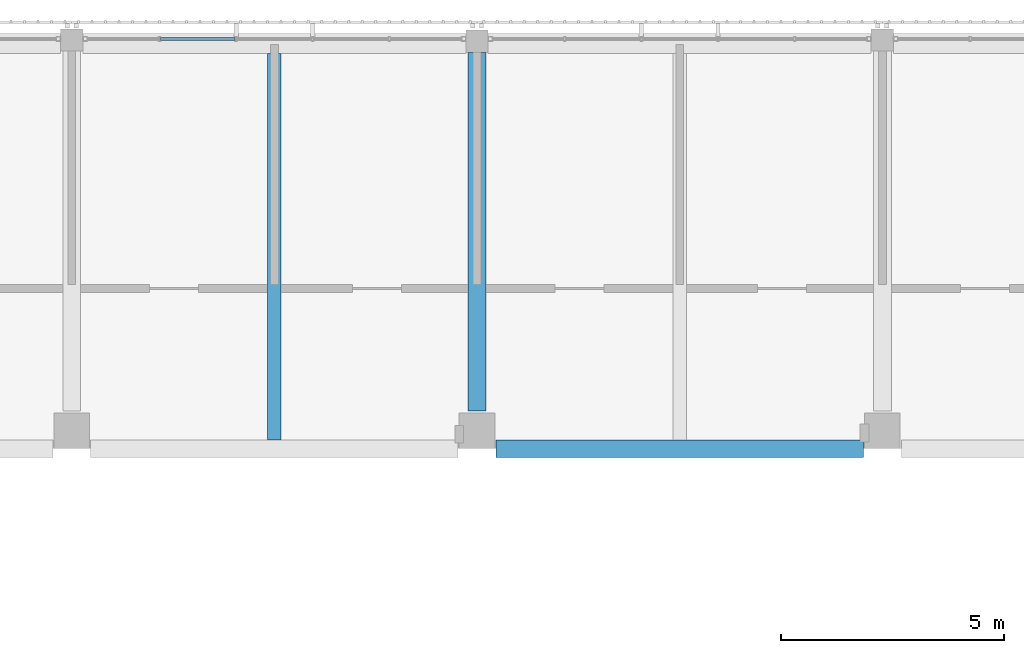
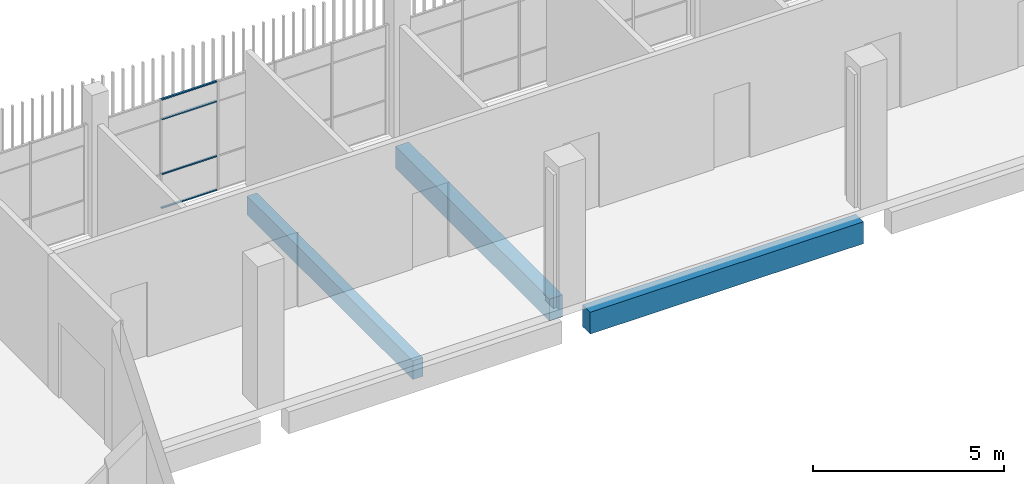
# One storey, part 35 of 124: 4 members, 3 beams, 1 element without a shape of its own.
"""IFC4 building model written with IfcOpenShell, lengths in metres."""

from ifc_helpers import new_model, si_unit, direction, frame, origin, origin_2d, place, context, subcontext, project, spatial, rectangle, hollow_rectangle, extrude, material, layer, layer_set, material_profile, profile_set, type_object, element, aggregate, save


model = new_model("IFC4")

# Units and contexts
model_context = context("Model", 3, precision=1e-05, world=origin(), true_north=direction((0.0, 1.0)))
body_context = subcontext(model_context, "Body", "Model", "MODEL_VIEW")
ifc_project = project(units=[si_unit("LENGTHUNIT", "METRE"), si_unit("AREAUNIT", "SQUARE_METRE"), si_unit("VOLUMEUNIT", "CUBIC_METRE"), si_unit("PLANEANGLEUNIT", "RADIAN"), si_unit("MASSUNIT", "GRAM", prefix="KILO")], contexts=[model_context])

# Site, building, storey
site_placement = place(None, origin())
site = spatial("IfcSite", under=ifc_project, at=site_placement, CompositionType="ELEMENT")
building_placement = place(site_placement, origin())
building = spatial("IfcBuilding", under=site, at=building_placement, Name="Shirokan Park Arena", CompositionType="ELEMENT")
storey_placement = place(building_placement, frame((0.0, 0.0, 20.02001953125)))
storey = spatial("IfcBuildingStorey", under=building, at=storey_placement, Name="L04", CompositionType="ELEMENT", Elevation=20.02001953125)

# Beams
ifc_material_1 = material(Name="Concrete C35", Category="concrete")
ifc_material_profile_1 = material_profile(ifc_material_1, rectangle(XDim=0.39990234375, YDim=0.699951171875, at=origin_2d()), Name="400x700")
ifc_profile_set_1 = profile_set([ifc_material_profile_1], Name="Concrete C35")
beam_type_1 = type_object("IfcBeamType", Name="RC girder 400x700", PredefinedType="BEAM", material=ifc_profile_set_1)
beam_1_placement = place(storey_placement, frame((55.025146484375, 100.10009765625, -0.60009765625), z_axis=(1.0, 0.0, 0.0), x_axis=(0.0, 1.0, 0.0)))
element("IfcBeam", 1, at=beam_1_placement, inside=storey, type_object=beam_type_1, Name="Girder 7M-8M L04", PredefinedType="BEAM", context=body_context, shape_type="SweptSolid", body=[
    extrude(rectangle(XDim=0.39990234375, YDim=0.699951171875, at=origin_2d()), origin(), (0.0, 0.0, 1.0), 8.249755859375),
])
beam_2_placement = place(storey_placement, frame((54.60009765625, 100.9501953125, -0.60009765625), z_axis=(0.0, 1.0, 0.0), x_axis=(-1.0, 0.0, 0.0)))
element("IfcBeam", 2, at=beam_2_placement, inside=storey, type_object=beam_type_1, Name="Girder 7M-7N L04", PredefinedType="BEAM", context=body_context, shape_type="SweptSolid", body=[
    extrude(rectangle(XDim=0.39990234375, YDim=0.699951171875, at=origin_2d()), origin(), (0.0, 0.0, 1.0), 8.0498046875),
])
ifc_material_profile_2 = material_profile(ifc_material_1, rectangle(XDim=0.300048828125, YDim=0.60009765625, at=origin_2d()), Name="300x600")
ifc_profile_set_2 = profile_set([ifc_material_profile_2], Name="Concrete C35")
beam_type_2 = type_object("IfcBeamType", Name="RC joist 300x600", PredefinedType="JOIST", material=ifc_profile_set_2)
beam_3_placement = place(storey_placement, frame((50.050048828125, 100.300048828125, -0.550048828125), z_axis=(0.0, 1.0, 0.0), x_axis=(-1.0, 0.0, 0.0)))
element("IfcBeam", 3, at=beam_3_placement, inside=storey, type_object=beam_type_2, Name="Joist 6M L04", PredefinedType="JOIST", context=body_context, shape_type="SweptSolid", body=[
    extrude(rectangle(XDim=0.300048828125, YDim=0.60009765625, at=origin_2d()), origin(), (0.0, 0.0, 1.0), 8.675048828125),
])

# Curtain wall, members
ifc_material_2 = material(Name="Steel and glass curtain wall", Category="steel")
ifc_layer = layer(ifc_material_2, 0.10009765625)
ifc_layer_set = layer_set([ifc_layer], Name="Steel and glass curtain wall 100 mm")
curtain_wall_type = type_object("IfcCurtainWallType", Name="Curtain wall sheltered bay 100", PredefinedType="NOTDEFINED", material=ifc_layer_set)
curtain_wall_placement = place(storey_placement, origin())
curtain_wall = element("IfcCurtainWall", 4, at=curtain_wall_placement, inside=storey, type_object=curtain_wall_type, Name="Curtain wall north bay 11 L04", PredefinedType="NOTDEFINED")
ifc_material_3 = material(Name="Steel S355", Category="steel")
ifc_material_profile_3 = material_profile(ifc_material_3, hollow_rectangle(XDim=0.06005859375, YDim=0.0400390625, WallThickness=0.00390625, at=origin_2d()), Name="RHS 60x40x4")
ifc_profile_set_3 = profile_set([ifc_material_profile_3], Name="Steel S355")
member_type = type_object("IfcMemberType", Name="Transom RHS 60x40x4", PredefinedType="MULLION", material=ifc_profile_set_3)
member_1_placement = place(storey_placement, frame((49.1650390625, 109.300048828125, 0.02001953125), z_axis=(-1.0, 0.0, 0.0), x_axis=(0.0, -1.0, 0.0)))
member_1 = element("IfcMember", 5, at=member_1_placement, type_object=member_type, Name="CW2 transom 4.1", PredefinedType="MULLION", context=body_context, shape_type="SweptSolid", body=[
    extrude(hollow_rectangle(XDim=0.06005859375, YDim=0.0400390625, WallThickness=0.00390625, at=origin_2d()), origin(), (0.0, 0.0, 1.0), 1.669921875),
])
member_2_placement = place(storey_placement, frame((49.1650390625, 109.300048828125, 1.10009765625), z_axis=(-1.0, 0.0, 0.0), x_axis=(0.0, -1.0, 0.0)))
member_2 = element("IfcMember", 6, at=member_2_placement, type_object=member_type, Name="CW2 transom 4.2", PredefinedType="MULLION", context=body_context, shape_type="SweptSolid", body=[
    extrude(hollow_rectangle(XDim=0.06005859375, YDim=0.0400390625, WallThickness=0.00390625, at=origin_2d()), origin(), (0.0, 0.0, 1.0), 1.669921875),
])
member_3_placement = place(storey_placement, frame((49.1650390625, 109.300048828125, 2.85009765625), z_axis=(-1.0, 0.0, 0.0), x_axis=(0.0, -1.0, 0.0)))
member_3 = element("IfcMember", 7, at=member_3_placement, type_object=member_type, Name="CW2 transom 4.3", PredefinedType="MULLION", context=body_context, shape_type="SweptSolid", body=[
    extrude(hollow_rectangle(XDim=0.06005859375, YDim=0.0400390625, WallThickness=0.00390625, at=origin_2d()), origin(), (0.0, 0.0, 1.0), 1.669921875),
])
member_4_placement = place(storey_placement, frame((49.1650390625, 109.300048828125, 3.47998046875), z_axis=(-1.0, 0.0, 0.0), x_axis=(0.0, -1.0, 0.0)))
member_4 = element("IfcMember", 8, at=member_4_placement, type_object=member_type, Name="CW2 transom 4.4", PredefinedType="MULLION", context=body_context, shape_type="SweptSolid", body=[
    extrude(hollow_rectangle(XDim=0.06005859375, YDim=0.0400390625, WallThickness=0.00390625, at=origin_2d()), origin(), (0.0, 0.0, 1.0), 1.669921875),
])
aggregate(curtain_wall, [member_1, member_2, member_3, member_4])

save(model, "model.ifc")
